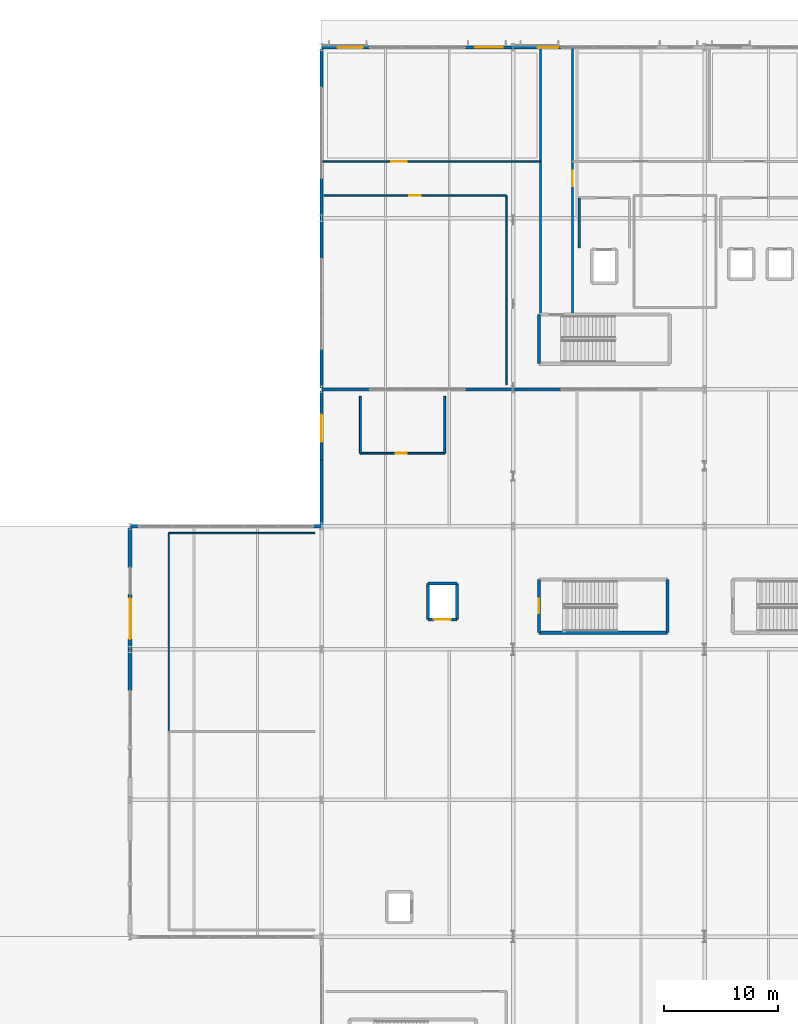
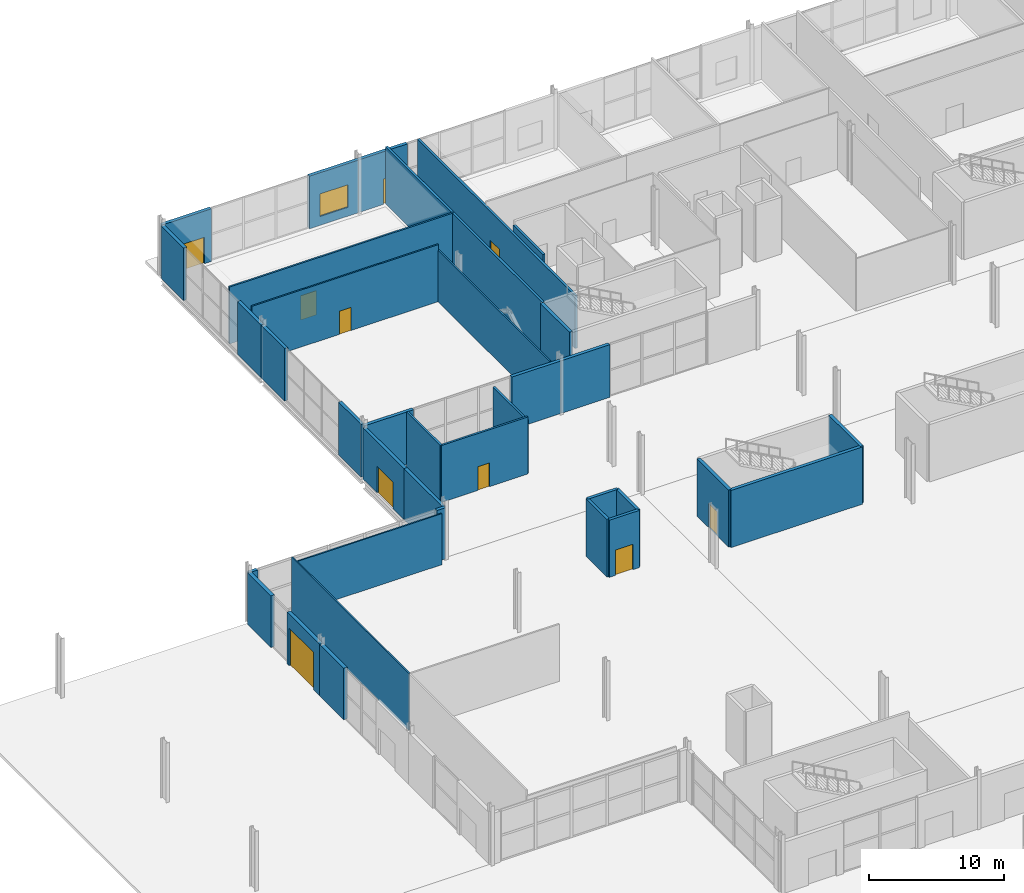
# One storey, part 63 of 87: 36 walls, 10 doors, 1 window, 11 openings.
"""IFC4 building model written with IfcOpenShell, lengths in metres."""

from ifc_helpers import new_model, si_unit, direction, frame, frame_2d, origin, place, context, subcontext, project, spatial, rectangle, extrude, material, layer, layer_set, type_object, element, fill, save


model = new_model("IFC4")

# Units and contexts
model_context = context("Model", 3, precision=1e-05, world=origin(), true_north=direction((0.0, 1.0)))
body_context = subcontext(model_context, "Body", "Model", "MODEL_VIEW")
ifc_project = project(units=[si_unit("LENGTHUNIT", "METRE"), si_unit("AREAUNIT", "SQUARE_METRE"), si_unit("VOLUMEUNIT", "CUBIC_METRE"), si_unit("PLANEANGLEUNIT", "RADIAN"), si_unit("MASSUNIT", "GRAM", prefix="KILO")], contexts=[model_context])

# Site, building, storey
site_placement = place(None, origin())
site = spatial("IfcSite", under=ifc_project, at=site_placement, CompositionType="ELEMENT")
building_placement = place(site_placement, origin())
building = spatial("IfcBuilding", under=site, at=building_placement, Name="Kimbaza Rail Terminus", CompositionType="ELEMENT")
storey_placement = place(building_placement, origin())
storey = spatial("IfcBuildingStorey", under=building, at=storey_placement, Name="L00", CompositionType="ELEMENT", Elevation=0.0)

# Wall, opening, door
ifc_material_1 = material(Name="Precast concrete C40/50", Category="concrete")
ifc_layer_1 = layer(ifc_material_1, 0.280029296875)
ifc_layer_set_1 = layer_set([ifc_layer_1], Name="Precast concrete C40/50")
wall_type_1 = type_object("IfcWallType", Name="ARC-WL-EXT280", PredefinedType="STANDARD", material=ifc_layer_set_1)
wall_1_placement = place(storey_placement, frame((55.199951171875, 133.0, 0.0), z_axis=(0.0, 0.0, 1.0), x_axis=(1.0, 0.0, 0.0)))
wall_1 = element("IfcWall", 1, at=wall_1_placement, inside=storey, type_object=wall_type_1, Name="Operations North Pier L00 0A", PredefinedType="STANDARD", context=body_context, shape_type="SweptSolid", body=[
    extrude(rectangle(XDim=4.199951171875, YDim=0.280029296875, at=frame_2d((2.10009765625, 0.0))), origin(), (0.0, 0.0, 1.0), 4.764892578125),
])
opening_1_placement = place(wall_1_placement, frame((1.39990234375, 0.0, 0.0)))
opening_1 = element("IfcOpeningElement", 2, at=opening_1_placement, cuts=wall_1, Name="Opening D-EX2", PredefinedType="OPENING", context=body_context, shape_type="SweptSolid", body=[
    extrude(rectangle(XDim=2.199951171875, YDim=2.39990234375, at=frame_2d((1.10009765625, 1.199951171875))), frame((0.0, 0.14990234375, 0.0), z_axis=(0.0, -1.0, 0.0), x_axis=(1.0, 0.0, 0.0)), (0.0, 0.0, 1.0), 0.300048828125),
])
ifc_material_2 = material(Name="Anodised aluminium and toughened safety glass", Category="aluminium")
door_type_1 = type_object("IfcDoorType", Name="ARC-DR-EX220", OperationType="NOTDEFINED", PredefinedType="DOOR", material=ifc_material_2)
door_1_placement = place(opening_1_placement, origin())
door_1 = element("IfcDoor", 3, at=door_1_placement, inside=storey, type_object=door_type_1, Name="DR-V5N-ENT-0", OperationType="SINGLE_SWING_LEFT", OverallHeight=2.39990234375, OverallWidth=2.199951171875, PredefinedType="DOOR", context=body_context, shape_type="SweptSolid", body=[
    extrude(rectangle(XDim=2.199951171875, YDim=2.39990234375, at=frame_2d((1.10009765625, 1.199951171875))), frame((0.0, 0.02490234375, 0.0), z_axis=(0.0, -1.0, 0.0), x_axis=(1.0, 0.0, 0.0)), (0.0, 0.0, 1.0), 0.050048828125),
])
fill(opening_1, door_1)

# Wall, opening, window
wall_2_placement = place(storey_placement, frame((67.800048828125, 133.0, 0.0), z_axis=(0.0, 0.0, 1.0), x_axis=(1.0, 0.0, 0.0)))
wall_2 = element("IfcWall", 4, at=wall_2_placement, inside=storey, type_object=wall_type_1, Name="Operations North Pier L00 0B", PredefinedType="STANDARD", context=body_context, shape_type="SweptSolid", body=[
    extrude(rectangle(XDim=4.199951171875, YDim=0.280029296875, at=frame_2d((2.10009765625, 0.0))), origin(), (0.0, 0.0, 1.0), 4.764892578125),
])
opening_2_placement = place(wall_2_placement, frame((0.89990234375, 0.0, 0.800048828125)))
opening_2 = element("IfcOpeningElement", 5, at=opening_2_placement, cuts=wall_2, Name="Opening W-01", PredefinedType="OPENING", context=body_context, shape_type="SweptSolid", body=[
    extrude(rectangle(XDim=2.39990234375, YDim=2.050048828125, at=frame_2d((1.199951171875, 1.02490234375))), frame((0.0, 0.14990234375, 0.0), z_axis=(0.0, -1.0, 0.0), x_axis=(1.0, 0.0, 0.0)), (0.0, 0.0, 1.0), 0.300048828125),
])
ifc_material_3 = material(Name="Thermally broken aluminium and solar low-E glass", Category="aluminium")
window_type = type_object("IfcWindowType", Name="ARC-WIN-W-01", PartitioningType="SINGLE_PANEL", PredefinedType="WINDOW", material=ifc_material_3)
window_placement = place(opening_2_placement, origin())
window = element("IfcWindow", 6, at=window_placement, inside=storey, type_object=window_type, Name="North Facade Window W-01", OverallHeight=2.050048828125, OverallWidth=2.39990234375, PartitioningType="SINGLE_PANEL", PredefinedType="WINDOW", context=body_context, shape_type="SweptSolid", body=[
    extrude(rectangle(XDim=2.39990234375, YDim=2.050048828125, at=frame_2d((1.199951171875, 1.02490234375))), frame((0.0, 0.030029296875, 0.0), z_axis=(0.0, -1.0, 0.0), x_axis=(1.0, 0.0, 0.0)), (0.0, 0.0, 1.0), 0.06005859375),
])
fill(opening_2, window)

# Wall, opening, door
wall_3_placement = place(storey_placement, frame((72.0, 133.0, 0.0), z_axis=(0.0, 0.0, 1.0), x_axis=(1.0, 0.0, 0.0)))
wall_3 = element("IfcWall", 7, at=wall_3_placement, inside=storey, type_object=wall_type_1, Name="Operations North Pier L00 1A", PredefinedType="STANDARD", context=body_context, shape_type="SweptSolid", body=[
    extrude(rectangle(XDim=4.199951171875, YDim=0.280029296875, at=frame_2d((2.10009765625, 0.0))), origin(), (0.0, 0.0, 1.0), 4.764892578125),
])
opening_3_placement = place(wall_3_placement, frame((2.14990234375, 0.0, 0.0)))
opening_3 = element("IfcOpeningElement", 8, at=opening_3_placement, cuts=wall_3, Name="Opening D-EF1", PredefinedType="OPENING", context=body_context, shape_type="SweptSolid", body=[
    extrude(rectangle(XDim=1.800048828125, YDim=2.300048828125, at=frame_2d((0.89990234375, 1.14990234375))), frame((0.0, 0.14990234375, 0.0), z_axis=(0.0, -1.0, 0.0), x_axis=(1.0, 0.0, 0.0)), (0.0, 0.0, 1.0), 0.300048828125),
])
ifc_material_4 = material(Name="Galvanised painted steel security leaf", Category="steel")
door_type_2 = type_object("IfcDoorType", Name="ARC-DR-EF180", OperationType="NOTDEFINED", PredefinedType="DOOR", material=ifc_material_4)
door_2_placement = place(opening_3_placement, origin())
door_2 = element("IfcDoor", 9, at=door_2_placement, inside=storey, type_object=door_type_2, Name="DR-EX-STW1", OperationType="SINGLE_SWING_RIGHT", OverallHeight=2.300048828125, OverallWidth=1.800048828125, PredefinedType="DOOR", context=body_context, shape_type="SweptSolid", body=[
    extrude(rectangle(XDim=1.800048828125, YDim=2.300048828125, at=frame_2d((0.89990234375, 1.14990234375))), frame((0.0, 0.02490234375, 0.0), z_axis=(0.0, -1.0, 0.0), x_axis=(1.0, 0.0, 0.0)), (0.0, 0.0, 1.0), 0.050048828125),
])
fill(opening_3, door_2)

# Walls
for number, where, z_axis, x_axis, name in (
    (10, (55.199951171875, 103.0, 0.0), (0.0, 0.0, 1.0), (1.0, 0.0, 0.0), "Operations South Wall L00 0A"),
    (11, (67.800048828125, 103.0, 0.0), (0.0, 0.0, 1.0), (1.0, 0.0, 0.0), "Operations South Wall L00 0B"),
    (12, (72.0, 103.0, 0.0), (0.0, 0.0, 1.0), (1.0, 0.0, 0.0), "Operations South Wall L00 1A"),
):
    element("IfcWall", number, at=place(storey_placement, frame(where, z_axis=z_axis, x_axis=x_axis)), inside=storey, type_object=wall_type_1, Name=name, PredefinedType="STANDARD", context=body_context, shape_type="SweptSolid", body=[
        extrude(rectangle(XDim=4.199951171875, YDim=0.280029296875, at=frame_2d((2.10009765625, 0.0))), origin(), (0.0, 0.0, 1.0), 4.764892578125),
    ])
wall_4_placement = place(storey_placement, frame((55.199951171875, 103.139892578125, 0.0), z_axis=(0.0, 0.0, 1.0), x_axis=(0.0, 1.0, 0.0)))
element("IfcWall", 13, at=wall_4_placement, inside=storey, type_object=wall_type_1, Name="Operations W End Pier L00", PredefinedType="STANDARD", context=body_context, shape_type="SweptSolid", body=[
    extrude(rectangle(XDim=3.360107421875, YDim=0.280029296875, at=frame_2d((1.68017578125, 0.0))), origin(), (0.0, 0.0, 1.0), 4.764892578125),
])
for number, where, z_axis, x_axis, name in (
    (14, (55.199951171875, 114.5, 0.0), (0.0, 0.0, 1.0), (0.0, 1.0, 0.0), "Operations W Corner Wall L00"),
    (15, (55.199951171875, 118.0, 0.0), (0.0, 0.0, 1.0), (0.0, 1.0, 0.0), "Operations W End Pier L00"),
):
    element("IfcWall", number, at=place(storey_placement, frame(where, z_axis=z_axis, x_axis=x_axis)), inside=storey, type_object=wall_type_1, Name=name, PredefinedType="STANDARD", context=body_context, shape_type="SweptSolid", body=[
        extrude(rectangle(XDim=3.5, YDim=0.280029296875, at=frame_2d((1.75, 0.0))), origin(), (0.0, 0.0, 1.0), 4.764892578125),
    ])
wall_5_placement = place(storey_placement, frame((55.199951171875, 129.5, 0.0), z_axis=(0.0, 0.0, 1.0), x_axis=(0.0, 1.0, 0.0)))
element("IfcWall", 16, at=wall_5_placement, inside=storey, type_object=wall_type_1, Name="Operations W Corner Wall L00", PredefinedType="STANDARD", context=body_context, shape_type="SweptSolid", body=[
    extrude(rectangle(XDim=3.360107421875, YDim=0.280029296875, at=frame_2d((1.68017578125, 0.0))), origin(), (0.0, 0.0, 1.0), 4.764892578125),
])
wall_6_placement = place(storey_placement, frame((38.39990234375, 91.0, 0.0), z_axis=(0.0, 0.0, 1.0), x_axis=(1.0, 0.0, 0.0)))
element("IfcWall", 17, at=wall_6_placement, inside=storey, type_object=wall_type_1, Name="Ticket Hall Wing W Curtain Wall L00.1 Corner Pier A", PredefinedType="STANDARD", context=body_context, shape_type="SweptSolid", body=[
    extrude(rectangle(XDim=0.72021484375, YDim=0.280029296875, at=frame_2d((0.360107421875, 0.0))), origin(), (0.0, 0.0, 1.0), 4.625),
])
wall_7_placement = place(storey_placement, frame((54.47998046875, 91.0, 0.0), z_axis=(0.0, 0.0, 1.0), x_axis=(1.0, 0.0, 0.0)))
element("IfcWall", 18, at=wall_7_placement, inside=storey, type_object=wall_type_1, Name="Ticket Hall Wing W Curtain Wall L00.1 Corner Pier B", PredefinedType="STANDARD", context=body_context, shape_type="SweptSolid", body=[
    extrude(rectangle(XDim=0.719970703125, YDim=0.280029296875, at=frame_2d((0.35986328125, 0.0))), origin(), (0.0, 0.0, 1.0), 4.625),
])
wall_8_placement = place(storey_placement, frame((55.199951171875, 91.139892578125, 0.0), z_axis=(0.0, 0.0, 1.0), x_axis=(0.0, 1.0, 0.0)))
element("IfcWall", 19, at=wall_8_placement, inside=storey, type_object=wall_type_1, Name="Link Hall W Wall L00A", PredefinedType="STANDARD", context=body_context, shape_type="SweptSolid", body=[
    extrude(rectangle(XDim=5.66015625, YDim=0.280029296875, at=frame_2d((2.830078125, 0.0))), origin(), (0.0, 0.0, 1.0), 4.625),
])

# Wall, opening, door
wall_9_placement = place(storey_placement, frame((55.199951171875, 96.800048828125, 0.0), z_axis=(0.0, 0.0, 1.0), x_axis=(0.0, 1.0, 0.0)))
wall_9 = element("IfcWall", 20, at=wall_9_placement, inside=storey, type_object=wall_type_1, Name="Link Hall W Wall L00B", PredefinedType="STANDARD", context=body_context, shape_type="SweptSolid", body=[
    extrude(rectangle(XDim=6.06005859375, YDim=0.280029296875, at=frame_2d((3.030029296875, 0.0))), origin(), (0.0, 0.0, 1.0), 4.625),
])
opening_4_placement = place(wall_9_placement, frame((1.60009765625, 0.0, 0.0)))
opening_4 = element("IfcOpeningElement", 21, at=opening_4_placement, cuts=wall_9, Name="Opening D-EX1", PredefinedType="OPENING", context=body_context, shape_type="SweptSolid", body=[
    extrude(rectangle(XDim=2.39990234375, YDim=2.39990234375, at=frame_2d((1.199951171875, 1.199951171875))), frame((0.0, 0.14990234375, 0.0), z_axis=(0.0, -1.0, 0.0), x_axis=(1.0, 0.0, 0.0)), (0.0, 0.0, 1.0), 0.300048828125),
])
ifc_material_5 = material(Name="Anodised aluminium and toughened safety glass", Category="aluminium")
door_type_3 = type_object("IfcDoorType", Name="ARC-DR-EX240", OperationType="NOTDEFINED", PredefinedType="DOOR", material=ifc_material_5)
door_3_placement = place(opening_4_placement, origin())
door_3 = element("IfcDoor", 22, at=door_3_placement, inside=storey, type_object=door_type_3, Name="DR-EX-LNKW", OperationType="SINGLE_SWING_RIGHT", OverallHeight=2.39990234375, OverallWidth=2.39990234375, PredefinedType="DOOR", context=body_context, shape_type="SweptSolid", body=[
    extrude(rectangle(XDim=2.39990234375, YDim=2.39990234375, at=frame_2d((1.199951171875, 1.199951171875))), frame((0.0, 0.02490234375, 0.0), z_axis=(0.0, -1.0, 0.0), x_axis=(1.0, 0.0, 0.0)), (0.0, 0.0, 1.0), 0.050048828125),
])
fill(opening_4, door_3)

# Wall
ifc_material_6 = material(Name="Precast concrete C40/50", Category="concrete")
ifc_layer_2 = layer(ifc_material_6, 0.320068359375)
ifc_layer_set_2 = layer_set([ifc_layer_2], Name="Precast concrete C40/50")
wall_type_2 = type_object("IfcWallType", Name="ARC-WL-EXT320", PredefinedType="STANDARD", material=ifc_layer_set_2)
wall_10_placement = place(storey_placement, frame((38.39990234375, 76.60009765625, 0.0), z_axis=(0.0, 0.0, 1.0), x_axis=(0.0, 1.0, 0.0)))
element("IfcWall", 23, at=wall_10_placement, inside=storey, type_object=wall_type_2, Name="Ticket Hall W Pier L00.2", PredefinedType="STANDARD", context=body_context, shape_type="SweptSolid", body=[
    extrude(rectangle(XDim=3.599853515625, YDim=0.320068359375, at=frame_2d((1.7998046875, 0.0))), origin(), (0.0, 0.0, 1.0), 4.675048828125),
])

# Wall, opening, door
wall_11_placement = place(storey_placement, frame((38.39990234375, 80.199951171875, 0.0), z_axis=(0.0, 0.0, 1.0), x_axis=(0.0, 1.0, 0.0)))
wall_11 = element("IfcWall", 24, at=wall_11_placement, inside=storey, type_object=wall_type_2, Name="Ticket Hall W Flank Wall L00.3", PredefinedType="STANDARD", context=body_context, shape_type="SweptSolid", body=[
    extrude(rectangle(XDim=4.800048828125, YDim=0.320068359375, at=frame_2d((2.39990234375, 0.0))), origin(), (0.0, 0.0, 1.0), 4.675048828125),
])
opening_5_placement = place(wall_11_placement, frame((0.89990234375, 0.0, 0.0)))
opening_5 = element("IfcOpeningElement", 25, at=opening_5_placement, cuts=wall_11, Name="Opening D-GT2", PredefinedType="OPENING", context=body_context, shape_type="SweptSolid", body=[
    extrude(rectangle(XDim=3.60009765625, YDim=3.39990234375, at=frame_2d((1.800048828125, 1.699951171875))), frame((0.0, 0.169921875, 0.0), z_axis=(0.0, -1.0, 0.0), x_axis=(1.0, 0.0, 0.0)), (0.0, 0.0, 1.0), 0.340087890625),
])
ifc_material_7 = material(Name="Galvanised steel baggage service shutter", Category="steel")
door_type_4 = type_object("IfcDoorType", Name="ARC-DR-GAT36", OperationType="NOTDEFINED", PredefinedType="GATE", material=ifc_material_7)
door_4_placement = place(opening_5_placement, origin())
door_4 = element("IfcDoor", 26, at=door_4_placement, inside=storey, type_object=door_type_4, Name="DR-GAT-W2", OperationType="ROLLINGUP", OverallHeight=3.39990234375, OverallWidth=3.60009765625, PredefinedType="GATE", context=body_context, shape_type="SweptSolid", body=[
    extrude(rectangle(XDim=3.60009765625, YDim=3.39990234375, at=frame_2d((1.800048828125, 1.699951171875))), frame((0.0, 0.02490234375, 0.0), z_axis=(0.0, -1.0, 0.0), x_axis=(1.0, 0.0, 0.0)), (0.0, 0.0, 1.0), 0.050048828125),
])
fill(opening_5, door_4)

# Walls
wall_12_placement = place(storey_placement, frame((38.39990234375, 87.39990234375, 0.0), z_axis=(0.0, 0.0, 1.0), x_axis=(0.0, 1.0, 0.0)))
element("IfcWall", 27, at=wall_12_placement, inside=storey, type_object=wall_type_2, Name="Ticket Hall W Pier L00.3", PredefinedType="STANDARD", context=body_context, shape_type="SweptSolid", body=[
    extrude(rectangle(XDim=3.460205078125, YDim=0.320068359375, at=frame_2d((1.72998046875, 0.0))), origin(), (0.0, 0.0, 1.0), 4.675048828125),
])
ifc_material_8 = material(Name="Concrete blockwork C30/37", Category="masonry")
ifc_layer_3 = layer(ifc_material_8, 0.199951171875)
ifc_layer_set_3 = layer_set([ifc_layer_3], Name="Concrete blockwork C30/37")
wall_type_3 = type_object("IfcWallType", Name="ARC-WL-FIRE200", PredefinedType="PARTITIONING", material=ifc_layer_set_3)
wall_13_placement = place(storey_placement, frame((77.800048828125, 119.800048828125, 0.0), z_axis=(0.0, 0.0, 1.0), x_axis=(0.0, -1.0, 0.0)))
element("IfcWall", 28, at=wall_13_placement, inside=storey, type_object=wall_type_3, Name="Firefighting Lobby LF-01 Partition (west)", PredefinedType="PARTITIONING", context=body_context, shape_type="SweptSolid", body=[
    extrude(rectangle(XDim=4.400146484375, YDim=0.199951171875, at=frame_2d((2.2001953125, 0.0))), origin(), (0.0, 0.0, 1.0), 4.794921875),
])

# Wall, opening, door
wall_14_placement = place(storey_placement, frame((77.199951171875, 109.60009765625, 0.0), z_axis=(0.0, 0.0, 1.0), x_axis=(0.0, 1.0, 0.0)))
wall_14 = element("IfcWall", 29, at=wall_14_placement, inside=storey, type_object=wall_type_3, Name="Protected Exit Corridor ST-W1 Partition (east)", PredefinedType="PARTITIONING", context=body_context, shape_type="SweptSolid", body=[
    extrude(rectangle(XDim=23.3798828125, YDim=0.199951171875, at=frame_2d((11.68994140625, 0.0))), origin(), (0.0, 0.0, 1.0), 4.794921875),
])
opening_6_placement = place(wall_14_placement, frame((11.199951171875, 0.0, 0.0)))
opening_6 = element("IfcOpeningElement", 30, at=opening_6_placement, cuts=wall_14, Name="Opening FD-01", PredefinedType="OPENING", context=body_context, shape_type="SweptSolid", body=[
    extrude(rectangle(XDim=1.39990234375, YDim=2.199951171875, at=frame_2d((0.699951171875, 1.10009765625))), frame((0.0, 0.10986328125, 0.0), z_axis=(0.0, -1.0, 0.0), x_axis=(1.0, 0.0, 0.0)), (0.0, 0.0, 1.0), 0.219970703125),
])
ifc_material_9 = material(Name="Galvanised painted steel fire escape door", Category="steel")
door_type_5 = type_object("IfcDoorType", Name="ARC-DR-FD140", OperationType="NOTDEFINED", PredefinedType="DOOR", material=ifc_material_9)
door_5_placement = place(opening_6_placement, origin())
door_5 = element("IfcDoor", 31, at=door_5_placement, inside=storey, type_object=door_type_5, Name="IDR-SPC-EXV-STW1", OperationType="SINGLE_SWING_RIGHT", OverallHeight=2.199951171875, OverallWidth=1.39990234375, PredefinedType="DOOR", context=body_context, shape_type="SweptSolid", body=[
    extrude(rectangle(XDim=1.39990234375, YDim=2.199951171875, at=frame_2d((0.699951171875, 1.10009765625))), frame((0.0, 0.02490234375, 0.0), z_axis=(0.0, -1.0, 0.0), x_axis=(1.0, 0.0, 0.0)), (0.0, 0.0, 1.0), 0.050048828125),
])
fill(opening_6, door_5)

# Walls
wall_15_placement = place(storey_placement, frame((74.39990234375, 132.860107421875, 0.0), z_axis=(0.0, 0.0, 1.0), x_axis=(0.0, -1.0, 0.0)))
element("IfcWall", 32, at=wall_15_placement, inside=storey, type_object=wall_type_3, Name="Protected Exit Corridor ST-W1 Partition (west)", PredefinedType="PARTITIONING", context=body_context, shape_type="SweptSolid", body=[
    extrude(rectangle(XDim=23.260009765625, YDim=0.199951171875, at=frame_2d((11.6298828125, 0.0))), origin(), (0.0, 0.0, 1.0), 5.159912109375),
])
ifc_material_10 = material(Name="Moisture-resistant stud wall", Category="gypsum")
ifc_layer_4 = layer(ifc_material_10, 0.1201171875)
ifc_layer_set_4 = layer_set([ifc_layer_4], Name="Moisture-resistant stud wall")
wall_type_4 = type_object("IfcWallType", Name="ARC-WL-PART120", PredefinedType="PARTITIONING", material=ifc_layer_set_4)
wall_16_placement = place(storey_placement, frame((54.60009765625, 90.39990234375, 0.0), z_axis=(0.0, 0.0, 1.0), x_axis=(-1.0, 0.0, 0.0)))
element("IfcWall", 33, at=wall_16_placement, inside=storey, type_object=wall_type_4, Name="Checked Baggage Drop and Customs Partition (north)", PredefinedType="PARTITIONING", context=body_context, shape_type="SweptSolid", body=[
    extrude(rectangle(XDim=12.800048828125, YDim=0.1201171875, at=frame_2d((6.39990234375, 0.0))), origin(), (0.0, 0.0, 1.0), 4.625),
])
wall_17_placement = place(storey_placement, frame((41.800048828125, 90.39990234375, 0.0), z_axis=(0.0, 0.0, 1.0), x_axis=(0.0, -1.0, 0.0)))
element("IfcWall", 34, at=wall_17_placement, inside=storey, type_object=wall_type_4, Name="Checked Baggage Drop and Customs Partition (west)", PredefinedType="PARTITIONING", context=body_context, shape_type="SweptSolid", body=[
    extrude(rectangle(XDim=17.39990234375, YDim=0.1201171875, at=frame_2d((8.699951171875, 0.0))), origin(), (0.0, 0.0, 1.0), 5.159912109375),
])
ifc_material_11 = material(Name="Acoustic gypsum stud partition", Category="gypsum")
ifc_layer_5 = layer(ifc_material_11, 0.1298828125)
ifc_layer_set_5 = layer_set([ifc_layer_5], Name="Acoustic gypsum stud partition")
wall_type_5 = type_object("IfcWallType", Name="ARC-WL-PART130", PredefinedType="PARTITIONING", material=ifc_layer_set_5)
wall_18_placement = place(storey_placement, frame((71.39990234375, 103.39990234375, 0.0), z_axis=(0.0, 0.0, 1.0), x_axis=(0.0, 1.0, 0.0)))
element("IfcWall", 35, at=wall_18_placement, inside=storey, type_object=wall_type_5, Name="L00 West Signalling Design Office Partition (east)", PredefinedType="PARTITIONING", context=body_context, shape_type="SweptSolid", body=[
    extrude(rectangle(XDim=16.60009765625, YDim=0.1298828125, at=frame_2d((8.300048828125, 0.0))), origin(), (0.0, 0.0, 1.0), 4.655029296875),
])

# Wall, opening, door
wall_19_placement = place(storey_placement, frame((71.39990234375, 120.0, 0.0), z_axis=(0.0, 0.0, 1.0), x_axis=(-1.0, 0.0, 0.0)))
wall_19 = element("IfcWall", 36, at=wall_19_placement, inside=storey, type_object=wall_type_5, Name="L00 West Signalling Design Office Partition (north)", PredefinedType="PARTITIONING", context=body_context, shape_type="SweptSolid", body=[
    extrude(rectangle(XDim=16.0, YDim=0.1298828125, at=frame_2d((8.0, 0.0))), origin(), (0.0, 0.0, 1.0), 5.159912109375),
])
opening_7_placement = place(wall_19_placement, frame((8.489990234375, 0.0, 0.0), z_axis=(0.0, 0.0, 1.0), x_axis=(-1.0, 0.0, 0.0)))
opening_7 = element("IfcOpeningElement", 37, at=opening_7_placement, cuts=wall_19, Name="Opening ID-10", PredefinedType="OPENING", context=body_context, shape_type="SweptSolid", body=[
    extrude(rectangle(XDim=0.97998046875, YDim=2.10009765625, at=frame_2d((0.489990234375, 1.050048828125))), frame((0.0, 0.074951171875, 0.0), z_axis=(0.0, -1.0, 0.0), x_axis=(1.0, 0.0, 0.0)), (0.0, 0.0, 1.0), 0.14990234375),
])
ifc_material_12 = material(Name="Washroom suite privacy door", Category="wood")
door_type_6 = type_object("IfcDoorType", Name="ARC-DR-ID098", OperationType="NOTDEFINED", PredefinedType="DOOR", material=ifc_material_12)
door_6_placement = place(opening_7_placement, origin())
door_6 = element("IfcDoor", 38, at=door_6_placement, inside=storey, type_object=door_type_6, Name="IDR-SPC-V5S-L00-1", OperationType="SINGLE_SWING_LEFT", OverallHeight=2.10009765625, OverallWidth=0.97998046875, PredefinedType="DOOR", context=body_context, shape_type="SweptSolid", body=[
    extrude(rectangle(XDim=0.97998046875, YDim=2.10009765625, at=frame_2d((0.489990234375, 1.050048828125))), frame((0.0, 0.02490234375, 0.0), z_axis=(0.0, -1.0, 0.0), x_axis=(1.0, 0.0, 0.0)), (0.0, 0.0, 1.0), 0.050048828125),
])
fill(opening_7, door_6)

ifc_material_13 = material(Name="Acoustic gypsum stud partition", Category="gypsum")
ifc_layer_6 = layer(ifc_material_13, 0.14990234375)
ifc_layer_set_6 = layer_set([ifc_layer_6], Name="Acoustic gypsum stud partition")
wall_type_6 = type_object("IfcWallType", Name="ARC-WL-PART150", PredefinedType="PARTITIONING", material=ifc_layer_set_6)
wall_20_placement = place(storey_placement, frame((55.219970703125, 123.0, 0.0), z_axis=(0.0, 0.0, 1.0), x_axis=(1.0, 0.0, 0.0)))
wall_20 = element("IfcWall", 39, at=wall_20_placement, inside=storey, type_object=wall_type_6, Name="Operations Staff Entrance Reception Partition (south)", PredefinedType="PARTITIONING", context=body_context, shape_type="SweptSolid", body=[
    extrude(rectangle(XDim=19.179931640625, YDim=0.14990234375, at=frame_2d((9.58984375, 0.0))), origin(), (0.0, 0.0, 1.0), 5.159912109375),
])
opening_8_placement = place(wall_20_placement, frame((6.10498046875, 0.0, 0.0)))
opening_8 = element("IfcOpeningElement", 40, at=opening_8_placement, cuts=wall_20, Name="Opening ID-02", PredefinedType="OPENING", context=body_context, shape_type="SweptSolid", body=[
    extrude(rectangle(XDim=1.35009765625, YDim=2.199951171875, at=frame_2d((0.675048828125, 1.10009765625))), frame((0.0, 0.0849609375, 0.0), z_axis=(0.0, -1.0, 0.0), x_axis=(1.0, 0.0, 0.0)), (0.0, 0.0, 1.0), 0.169921875),
])
ifc_material_14 = material(Name="Anodised aluminium glazed lounge door", Category="aluminium")
door_type_7 = type_object("IfcDoorType", Name="ARC-DR-ID135", OperationType="NOTDEFINED", PredefinedType="DOOR", material=ifc_material_14)
door_7_placement = place(opening_8_placement, origin())
door_7 = element("IfcDoor", 41, at=door_7_placement, inside=storey, type_object=door_type_7, Name="IDR-SPC-V5N-L00-01", OperationType="SINGLE_SWING_LEFT", OverallHeight=2.199951171875, OverallWidth=1.35009765625, PredefinedType="DOOR", context=body_context, shape_type="SweptSolid", body=[
    extrude(rectangle(XDim=1.35009765625, YDim=2.199951171875, at=frame_2d((0.675048828125, 1.10009765625))), frame((0.0, 0.02490234375, 0.0), z_axis=(0.0, -1.0, 0.0), x_axis=(1.0, 0.0, 0.0)), (0.0, 0.0, 1.0), 0.050048828125),
])
fill(opening_8, door_7)

ifc_material_15 = material(Name="Moisture-resistant blockwork C25/30", Category="masonry")
ifc_layer_7 = layer(ifc_material_15, 0.169921875)
ifc_layer_set_7 = layer_set([ifc_layer_7], Name="Moisture-resistant blockwork C25/30")
wall_type_7 = type_object("IfcWallType", Name="ARC-WL-PLMB170", PredefinedType="PLUMBINGWALL", material=ifc_layer_set_7)
wall_21_placement = place(storey_placement, frame((58.60009765625, 97.39990234375, 0.0), z_axis=(0.0, 0.0, 1.0), x_axis=(1.0, 0.0, 0.0)))
wall_21 = element("IfcWall", 42, at=wall_21_placement, inside=storey, type_object=wall_type_7, Name="Main Concourse Accessible WC Partition (south)", PredefinedType="PLUMBINGWALL", context=body_context, shape_type="SweptSolid", body=[
    extrude(rectangle(XDim=7.39990234375, YDim=0.169921875, at=frame_2d((3.699951171875, 0.0))), origin(), (0.0, 0.0, 1.0), 5.159912109375),
])
opening_9_placement = place(wall_21_placement, frame((4.074951171875, 0.0, 0.0), z_axis=(0.0, 0.0, 1.0), x_axis=(-1.0, 0.0, 0.0)))
opening_9 = element("IfcOpeningElement", 43, at=opening_9_placement, cuts=wall_21, Name="Opening ID-06", PredefinedType="OPENING", context=body_context, shape_type="SweptSolid", body=[
    extrude(rectangle(XDim=0.949951171875, YDim=2.14990234375, at=frame_2d((0.47509765625, 1.074951171875))), frame((0.0, 0.094970703125, 0.0), z_axis=(0.0, -1.0, 0.0), x_axis=(1.0, 0.0, 0.0)), (0.0, 0.0, 1.0), 0.18994140625),
])
ifc_material_16 = material(Name="Accessible washroom outward-capable door", Category="wood")
door_type_8 = type_object("IfcDoorType", Name="ARC-DR-ID095", OperationType="NOTDEFINED", PredefinedType="DOOR", material=ifc_material_16)
door_8_placement = place(opening_9_placement, origin())
door_8 = element("IfcDoor", 44, at=door_8_placement, inside=storey, type_object=door_type_8, Name="IDR-SPC-L00-PAWC", OperationType="SINGLE_SWING_LEFT", OverallHeight=2.14990234375, OverallWidth=0.949951171875, PredefinedType="DOOR", context=body_context, shape_type="SweptSolid", body=[
    extrude(rectangle(XDim=0.949951171875, YDim=2.14990234375, at=frame_2d((0.47509765625, 1.074951171875))), frame((0.0, 0.02490234375, 0.0), z_axis=(0.0, -1.0, 0.0), x_axis=(1.0, 0.0, 0.0)), (0.0, 0.0, 1.0), 0.050048828125),
])
fill(opening_9, door_8)

# Walls
wall_22_placement = place(storey_placement, frame((66.0, 97.39990234375, 0.0), z_axis=(0.0, 0.0, 1.0), x_axis=(0.0, 1.0, 0.0)))
element("IfcWall", 45, at=wall_22_placement, inside=storey, type_object=wall_type_7, Name="Main Concourse Accessible WC Partition (east)", PredefinedType="PLUMBINGWALL", context=body_context, shape_type="SweptSolid", body=[
    extrude(rectangle(XDim=5.0, YDim=0.169921875, at=frame_2d((2.5, 0.0))), origin(), (0.0, 0.0, 1.0), 4.81494140625),
])
wall_23_placement = place(storey_placement, frame((58.60009765625, 102.39990234375, 0.0), z_axis=(0.0, 0.0, 1.0), x_axis=(0.0, -1.0, 0.0)))
element("IfcWall", 46, at=wall_23_placement, inside=storey, type_object=wall_type_7, Name="Main Concourse Accessible WC Partition (west)", PredefinedType="PLUMBINGWALL", context=body_context, shape_type="SweptSolid", body=[
    extrude(rectangle(XDim=5.0, YDim=0.169921875, at=frame_2d((2.5, 0.0))), origin(), (0.0, 0.0, 1.0), 5.159912109375),
])

# Wall, opening, door
ifc_material_17 = material(Name="Concrete C40/50", Category="concrete")
ifc_layer_8 = layer(ifc_material_17, 0.25)
ifc_layer_set_8 = layer_set([ifc_layer_8], Name="Concrete C40/50")
wall_type_8 = type_object("IfcWallType", Name="STR-WL-CORE250", PredefinedType="SHEAR", material=ifc_layer_set_8)
wall_24_placement = place(storey_placement, frame((64.52001953125, 82.820068359375, 0.0), z_axis=(0.0, 0.0, 1.0), x_axis=(1.0, 0.0, 0.0)))
wall_24 = element("IfcWall", 47, at=wall_24_placement, inside=storey, type_object=wall_type_8, Name="Lift Shaft Wall LG-01 L00-1", PredefinedType="SHEAR", context=body_context, shape_type="SweptSolid", body=[
    extrude(rectangle(XDim=2.56005859375, YDim=0.25, at=frame_2d((1.280029296875, 0.0))), origin(), (0.0, 0.0, 1.0), 5.179931640625),
])
opening_10_placement = place(wall_24_placement, frame((0.530029296875, 0.0, 0.0)))
opening_10 = element("IfcOpeningElement", 48, at=opening_10_placement, cuts=wall_24, Name="Opening LD-03", PredefinedType="OPENING", context=body_context, shape_type="SweptSolid", body=[
    extrude(rectangle(XDim=1.5, YDim=2.300048828125, at=frame_2d((0.75, 1.14990234375))), frame((0.0, 0.135009765625, 0.0), z_axis=(0.0, -1.0, 0.0), x_axis=(1.0, 0.0, 0.0)), (0.0, 0.0, 1.0), 0.27001953125),
])
ifc_material_18 = material(Name="Heavy goods stainless steel landing door", Category="steel")
door_type_9 = type_object("IfcDoorType", Name="ARC-DR-LD150", OperationType="NOTDEFINED", PredefinedType="DOOR", material=ifc_material_18)
door_9_placement = place(opening_10_placement, origin())
door_9 = element("IfcDoor", 49, at=door_9_placement, inside=storey, type_object=door_type_9, Name="LDR-LG-01-L00", OperationType="SLIDING_TO_RIGHT", OverallHeight=2.300048828125, OverallWidth=1.5, PredefinedType="DOOR", context=body_context, shape_type="SweptSolid", body=[
    extrude(rectangle(XDim=1.5, YDim=2.300048828125, at=frame_2d((0.75, 1.14990234375))), frame((0.0, 0.02490234375, 0.0), z_axis=(0.0, -1.0, 0.0), x_axis=(1.0, 0.0, 0.0)), (0.0, 0.0, 1.0), 0.050048828125),
])
fill(opening_10, door_9)

# Walls
wall_25_placement = place(storey_placement, frame((67.080078125, 82.820068359375, 0.0), z_axis=(0.0, 0.0, 1.0), x_axis=(0.0, 1.0, 0.0)))
element("IfcWall", 50, at=wall_25_placement, inside=storey, type_object=wall_type_8, Name="Lift Shaft Wall LG-01 L00-2", PredefinedType="SHEAR", context=body_context, shape_type="SweptSolid", body=[
    extrude(rectangle(XDim=3.159912109375, YDim=0.25, at=frame_2d((1.580078125, 0.0))), origin(), (0.0, 0.0, 1.0), 5.179931640625),
])
wall_26_placement = place(storey_placement, frame((67.080078125, 85.97998046875, 0.0), z_axis=(0.0, 0.0, 1.0), x_axis=(-1.0, 0.0, 0.0)))
element("IfcWall", 51, at=wall_26_placement, inside=storey, type_object=wall_type_8, Name="Lift Shaft Wall LG-01 L00-3", PredefinedType="SHEAR", context=body_context, shape_type="SweptSolid", body=[
    extrude(rectangle(XDim=2.56005859375, YDim=0.25, at=frame_2d((1.280029296875, 0.0))), origin(), (0.0, 0.0, 1.0), 5.179931640625),
])
wall_27_placement = place(storey_placement, frame((64.52001953125, 85.97998046875, 0.0), z_axis=(0.0, 0.0, 1.0), x_axis=(0.0, -1.0, 0.0)))
element("IfcWall", 52, at=wall_27_placement, inside=storey, type_object=wall_type_8, Name="Lift Shaft Wall LG-01 L00-4", PredefinedType="SHEAR", context=body_context, shape_type="SweptSolid", body=[
    extrude(rectangle(XDim=3.159912109375, YDim=0.25, at=frame_2d((1.580078125, 0.0))), origin(), (0.0, 0.0, 1.0), 5.179931640625),
])
ifc_material_19 = material(Name="Concrete C40/50", Category="concrete")
ifc_layer_9 = layer(ifc_material_19, 0.280029296875)
ifc_layer_set_9 = layer_set([ifc_layer_9], Name="Concrete C40/50")
wall_type_9 = type_object("IfcWallType", Name="STR-WL-CORE280", PredefinedType="SHEAR", material=ifc_layer_set_9)
wall_28_placement = place(storey_placement, frame((74.260009765625, 109.580078125, 0.0), z_axis=(0.0, 0.0, 1.0), x_axis=(0.0, -1.0, 0.0)))
element("IfcWall", 53, at=wall_28_placement, inside=storey, type_object=wall_type_9, Name="Operations West Exit Stair Shaft Wall L00-4", PredefinedType="SHEAR", context=body_context, shape_type="SweptSolid", body=[
    extrude(rectangle(XDim=4.320068359375, YDim=0.280029296875, at=frame_2d((2.16015625, 0.0))), origin(), (0.0, 0.0, 1.0), 5.159912109375),
])
wall_29_placement = place(storey_placement, frame((74.260009765625, 81.659912109375, 0.0), z_axis=(0.0, 0.0, 1.0), x_axis=(1.0, 0.0, 0.0)))
element("IfcWall", 54, at=wall_29_placement, inside=storey, type_object=wall_type_9, Name="Platform West Concourse Stair Shaft Wall L00-1", PredefinedType="SHEAR", context=body_context, shape_type="SweptSolid", body=[
    extrude(rectangle(XDim=11.280029296875, YDim=0.280029296875, at=frame_2d((5.64013671875, 0.0))), origin(), (0.0, 0.0, 1.0), 5.179931640625),
])
wall_30_placement = place(storey_placement, frame((85.5400390625, 81.659912109375, 0.0), z_axis=(0.0, 0.0, 1.0), x_axis=(0.0, 1.0, 0.0)))
element("IfcWall", 55, at=wall_30_placement, inside=storey, type_object=wall_type_9, Name="Platform West Concourse Stair Shaft Wall L00-2", PredefinedType="SHEAR", context=body_context, shape_type="SweptSolid", body=[
    extrude(rectangle(XDim=4.68017578125, YDim=0.280029296875, at=frame_2d((2.340087890625, 0.0))), origin(), (0.0, 0.0, 1.0), 5.179931640625),
])

# Wall, opening, door
wall_31_placement = place(storey_placement, frame((74.260009765625, 86.340087890625, 0.0), z_axis=(0.0, 0.0, 1.0), x_axis=(0.0, -1.0, 0.0)))
wall_31 = element("IfcWall", 56, at=wall_31_placement, inside=storey, type_object=wall_type_9, Name="Platform West Concourse Stair Shaft Wall L00-4", PredefinedType="SHEAR", context=body_context, shape_type="SweptSolid", body=[
    extrude(rectangle(XDim=4.68017578125, YDim=0.280029296875, at=frame_2d((2.340087890625, 0.0))), origin(), (0.0, 0.0, 1.0), 5.179931640625),
])
opening_11_placement = place(wall_31_placement, frame((1.715087890625, 0.0, 0.0)))
opening_11 = element("IfcOpeningElement", 57, at=opening_11_placement, cuts=wall_31, Name="Opening FD-02", PredefinedType="OPENING", context=body_context, shape_type="SweptSolid", body=[
    extrude(rectangle(XDim=1.25, YDim=2.199951171875, at=frame_2d((0.625, 1.10009765625))), frame((0.0, 0.14990234375, 0.0), z_axis=(0.0, -1.0, 0.0), x_axis=(1.0, 0.0, 0.0)), (0.0, 0.0, 1.0), 0.300048828125),
])
ifc_material_20 = material(Name="Galvanised painted steel fire stair door", Category="steel")
door_type_10 = type_object("IfcDoorType", Name="ARC-DR-FD125", OperationType="NOTDEFINED", PredefinedType="DOOR", material=ifc_material_20)
door_10_placement = place(opening_11_placement, origin())
door_10 = element("IfcDoor", 58, at=door_10_placement, inside=storey, type_object=door_type_10, Name="SDR-ST-C1-L00", OperationType="SINGLE_SWING_RIGHT", OverallHeight=2.199951171875, OverallWidth=1.25, PredefinedType="DOOR", context=body_context, shape_type="SweptSolid", body=[
    extrude(rectangle(XDim=1.25, YDim=2.199951171875, at=frame_2d((0.625, 1.10009765625))), frame((0.0, 0.02490234375, 0.0), z_axis=(0.0, -1.0, 0.0), x_axis=(1.0, 0.0, 0.0)), (0.0, 0.0, 1.0), 0.050048828125),
])
fill(opening_11, door_10)

save(model, "model.ifc")
